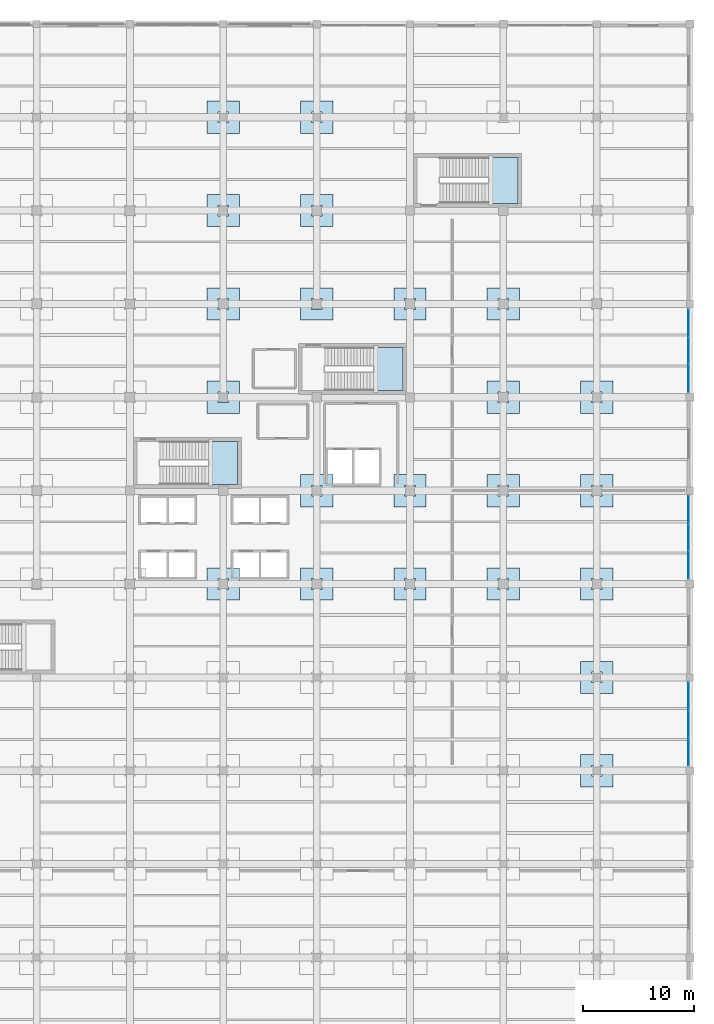
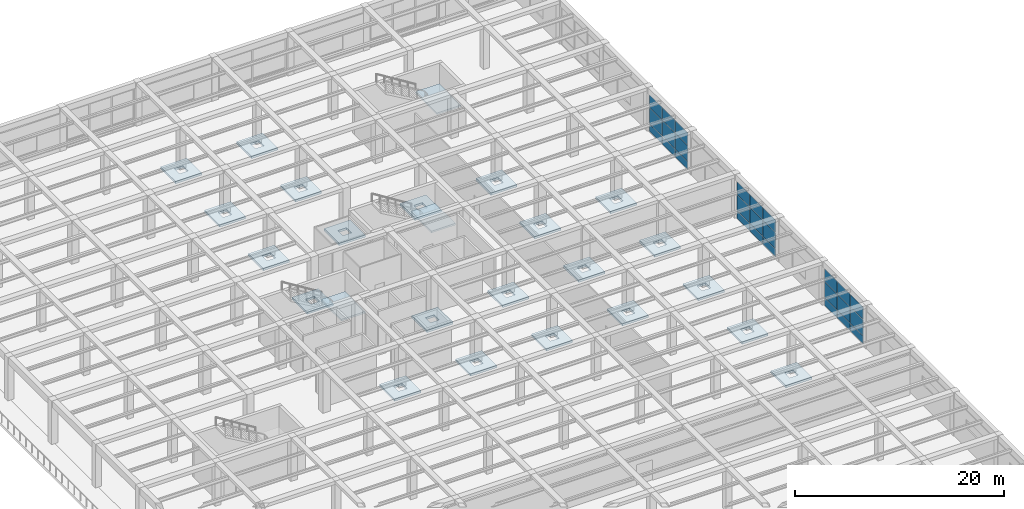
# One storey, part 75 of 96: 27 plates, 25 slabs, 6 elements without a shape of their own.
"""IFC4 building model written with IfcOpenShell, lengths in metres."""

import ifcopenshell
import ifcopenshell.guid

model = None  # the IFC model being written
_history = None  # IfcOwnerHistory: only IFC2X3 demands one
_inside = {}  # id of a spatial element -> (the spatial element, [elements in it])
_under = {}  # id of a project, library or spatial element -> (it, [spatial elements below it])
_declared = {}  # id of a project -> (the project, [libraries it declares])
_typed = {}  # id of a type object -> (the type object, [elements of that type])
_made_of = {}  # id of a material, layer set ... -> (it, [elements and type objects made of it])


def new_model(schema):
    """Start an empty IFC model of exactly this schema.

    Asked for "IFC4X3", IfcOpenShell would pick the latest addendum, in which some entities
    have other attributes; the version numbers below select the first issue.
    IFC2X3 requires an IfcOwnerHistory on every rooted entity: one is made here for all.
    """
    global model, _history
    if schema == "IFC4X3":
        model = ifcopenshell.file(schema_version=(4, 3, 0, 0))
    else:
        model = ifcopenshell.file(schema=schema)
    _inside.clear()
    _under.clear()
    _declared.clear()
    _typed.clear()
    _made_of.clear()
    _history = None
    if model.schema == "IFC2X3":
        org = make("IfcOrganization", Name="unknown")
        user = make(
            "IfcPersonAndOrganization",
            ThePerson=make("IfcPerson", FamilyName="unknown"),
            TheOrganization=org,
        )
        app = make(
            "IfcApplication",
            ApplicationDeveloper=org,
            Version="unknown",
            ApplicationFullName="unknown",
            ApplicationIdentifier="unknown",
        )
        _history = make(
            "IfcOwnerHistory",
            OwningUser=user,
            OwningApplication=app,
            ChangeAction="ADDED",
            CreationDate=0,
        )
    return model


def make(cls, **values):
    """One entity of the class cls with the attributes given. An attribute that is None is left unset."""
    return model.create_entity(
        cls, **{name: value for name, value in values.items() if value is not None}
    )


def rooted(cls, **values):
    """An entity with a GlobalId (a new one), such as an element, a storey or a relation."""
    return make(cls, GlobalId=ifcopenshell.guid.new(), OwnerHistory=_history, **values)


def si_unit(unit_type, name, prefix=None):
    """IfcSIUnit, for example si_unit("LENGTHUNIT", "METRE", prefix="MILLI")."""
    return make("IfcSIUnit", UnitType=unit_type, Prefix=prefix, Name=name)


def assignment(units):
    """IfcUnitAssignment: the units of a project."""
    return None if units is None else make("IfcUnitAssignment", Units=units)


def point(xyz):
    """IfcCartesianPoint."""
    return None if xyz is None else make("IfcCartesianPoint", Coordinates=xyz)


def direction(xyz):
    """IfcDirection."""
    return None if xyz is None else make("IfcDirection", DirectionRatios=xyz)


def frame(location, z_axis=None, x_axis=None):
    """IfcAxis2Placement3D, a coordinate frame: its origin and axes. An axis left out is left unset."""
    return make(
        "IfcAxis2Placement3D",
        Location=point(location),
        Axis=direction(z_axis),
        RefDirection=direction(x_axis),
    )


def frame_2d(location, x_axis=None):
    """IfcAxis2Placement2D, a coordinate frame in the plane: its origin and x axis."""
    return make(
        "IfcAxis2Placement2D", Location=point(location), RefDirection=direction(x_axis)
    )


def origin():
    """The frame at (0, 0, 0) with its axes left unset."""
    return frame((0.0, 0.0, 0.0))


def origin_2d():
    """The frame at (0, 0) in the plane with its x axis left unset."""
    return frame_2d((0.0, 0.0))


def place(relative_to, where):
    """IfcLocalPlacement: puts the frame where relative to a parent placement (None: the world)."""
    return make(
        "IfcLocalPlacement", PlacementRelTo=relative_to, RelativePlacement=where
    )


def context(
    kind, dimensions, precision=None, world=None, true_north=None, identifier=None
):
    """IfcGeometricRepresentationContext, for example the 3D "Model" context."""
    return make(
        "IfcGeometricRepresentationContext",
        ContextIdentifier=identifier,
        ContextType=kind,
        CoordinateSpaceDimension=dimensions,
        Precision=precision,
        WorldCoordinateSystem=world,
        TrueNorth=true_north,
    )


def subcontext(parent, identifier, kind, view, scale=None):
    """IfcGeometricRepresentationSubContext, for example "Body" below "Model"."""
    return make(
        "IfcGeometricRepresentationSubContext",
        ContextIdentifier=identifier,
        ContextType=kind,
        ParentContext=parent,
        TargetScale=scale,
        TargetView=view,
    )


def project(units=None, contexts=None):
    """IfcProject with its units and contexts."""
    return rooted(
        "IfcProject",
        Name="project",
        RepresentationContexts=contexts,
        UnitsInContext=assignment(units),
    )


def spatial(cls, under=None, at=None, **own):
    """A site, building, storey or space (cls), placed at a placement, below another one or the project."""
    s = rooted(cls, ObjectPlacement=at, **own)
    if under is not None:
        _under.setdefault(under.id(), (under, []))[1].append(s)
    return s


def polyline(points):
    """IfcPolyline through the points."""
    return make("IfcPolyline", Points=[point(p) for p in points])


def profile(cls, at=None, kind="AREA", **sizes):
    """A parametric profile (cls). Its sizes go by their IFC names, for example OverallWidth=200.0."""
    return make(cls, ProfileType=kind, Position=at, **sizes)


def rectangle(**sizes):
    """IfcRectangleProfileDef."""
    return profile("IfcRectangleProfileDef", **sizes)


def outline(outer, holes=None, kind="AREA"):
    """IfcArbitraryClosedProfileDef: a profile drawn as a closed curve; with holes, ...WithVoids."""
    if holes is None:
        return make("IfcArbitraryClosedProfileDef", ProfileType=kind, OuterCurve=outer)
    return make(
        "IfcArbitraryProfileDefWithVoids",
        ProfileType=kind,
        OuterCurve=outer,
        InnerCurves=holes,
    )


def extrude(swept, where, along, depth):
    """IfcExtrudedAreaSolid: the profile swept, set in the frame where, extruded along a direction by depth."""
    return make(
        "IfcExtrudedAreaSolid",
        SweptArea=swept,
        Position=where,
        ExtrudedDirection=direction(along),
        Depth=depth,
    )


def shape(context_of_items, identifier, shape_type, items):
    """IfcShapeRepresentation: the items that make up one representation, for example the "Body"."""
    return make(
        "IfcShapeRepresentation",
        ContextOfItems=context_of_items,
        RepresentationIdentifier=identifier,
        RepresentationType=shape_type,
        Items=items,
    )


def material(Name=None, Category=None):
    """IfcMaterial."""
    return make("IfcMaterial", Name=Name, Category=Category)


def layer(
    of_material, thickness, ventilated=None, Name=None, Category=None, Priority=None
):
    """IfcMaterialLayer: one layer of a wall or slab, of a material (None: an air gap)."""
    return make(
        "IfcMaterialLayer",
        Material=of_material,
        LayerThickness=thickness,
        IsVentilated=ventilated,
        Name=Name,
        Category=Category,
        Priority=Priority,
    )


def layer_set(layers, Name=None):
    """IfcMaterialLayerSet."""
    return make("IfcMaterialLayerSet", MaterialLayers=layers, LayerSetName=Name)


def made_of(thing, what):
    """Note that an element or type object is made of a material, layer set ...; save() writes the relation."""
    if what is not None:
        _made_of.setdefault(what.id(), (what, []))[1].append(thing)
    return thing


def type_object(cls, material=None, **own):
    """A type object (cls), such as IfcWallType, which elements share."""
    return made_of(rooted(cls, **own), material)


def element(
    cls,
    number,
    at=None,
    inside=None,
    cuts=None,
    type_object=None,
    material=None,
    context=None,
    identifier="Body",
    shape_type=None,
    held_by="IfcProductDefinitionShape",
    body=None,
    shapes=None,
    **own,
):
    """One element of the class cls, such as IfcWall. Its Tag is "e" and its number.

    at: its placement. inside: the storey or other place that contains it. cuts: it is an
    opening in that element (IfcRelVoidsElement). A single representation is given by context,
    identifier, shape_type and body (its items); several are given by shapes. held_by: the class
    of the entity that holds the representations. save() writes the other relations.
    """
    e = rooted(cls, Tag="e%d" % number, ObjectPlacement=at, **own)
    if body is not None:
        shapes = [shape(context, identifier, shape_type, body)]
    if shapes is not None:
        e.Representation = make(held_by, Representations=shapes)
    if inside is not None:
        _inside.setdefault(inside.id(), (inside, []))[1].append(e)
    if cuts is not None:
        rooted(
            "IfcRelVoidsElement", RelatingBuildingElement=cuts, RelatedOpeningElement=e
        )
    if type_object is not None:
        _typed.setdefault(type_object.id(), (type_object, []))[1].append(e)
    return made_of(e, material)


def aggregate(whole, parts):
    """IfcRelAggregates: a whole, such as a stair, and the parts it consists of."""
    return rooted("IfcRelAggregates", RelatingObject=whole, RelatedObjects=parts)


def save(model, path):
    """Write the relations noted so far, then the file.

    IfcRelAggregates (storeys below a building ...), IfcRelContainedInSpatialStructure (elements
    in a storey), IfcRelDefinesByType, IfcRelAssociatesMaterial and IfcRelDeclares: one each for
    every whole, place, type object, material and project.
    """
    for whole, parts in _under.values():
        aggregate(whole, parts)
    for where, things in _inside.values():
        rooted(
            "IfcRelContainedInSpatialStructure",
            RelatedElements=things,
            RelatingStructure=where,
        )
    for kind, things in _typed.values():
        rooted("IfcRelDefinesByType", RelatedObjects=things, RelatingType=kind)
    for what, things in _made_of.values():
        rooted("IfcRelAssociatesMaterial", RelatedObjects=things, RelatingMaterial=what)
    for by, libraries in _declared.values():
        rooted("IfcRelDeclares", RelatingContext=by, RelatedDefinitions=libraries)
    model.write(path)


model = new_model("IFC4")

# Units and contexts
model_context = context("Model", 3, precision=1e-05, world=origin(), true_north=direction((0.0, 1.0)))
body_context = subcontext(model_context, "Body", "Model", "MODEL_VIEW")
ifc_project = project(units=[si_unit("LENGTHUNIT", "METRE"), si_unit("AREAUNIT", "SQUARE_METRE"), si_unit("VOLUMEUNIT", "CUBIC_METRE"), si_unit("PLANEANGLEUNIT", "RADIAN"), si_unit("MASSUNIT", "GRAM", prefix="KILO")], contexts=[model_context])

# Site, building, storey
site_placement = place(None, origin())
site = spatial("IfcSite", under=ifc_project, at=site_placement, CompositionType="ELEMENT")
building_placement = place(site_placement, origin())
building = spatial("IfcBuilding", under=site, at=building_placement, Name="Almacenes y Pasaje Nevantli", CompositionType="ELEMENT")
storey_placement = place(building_placement, frame((0.0, 0.0, 6.0)))
storey = spatial("IfcBuildingStorey", under=building, at=storey_placement, Name="L02", CompositionType="ELEMENT", Elevation=6.0)

# Curtain wall, plates
ifc_material_1 = material(Name="Thermally Broken Aluminium and Low-E Glass", Category="aluminium")
curtain_wall_type = type_object("IfcCurtainWallType", Name="CW-UNIT-PODIUM", PredefinedType="USERDEFINED", material=ifc_material_1)
curtain_wall_1_placement = place(storey_placement, origin())
curtain_wall_1 = element("IfcCurtainWall", 1, at=curtain_wall_1_placement, inside=storey, type_object=curtain_wall_type, Name="L02 East Office Wing Curtain Wall Bay 7", ObjectType="UNITIZED CURTAIN WALL", PredefinedType="USERDEFINED")
ifc_material_2 = material(Name="Low-E Double Glazed Insulated Unit", Category="glass")
ifc_layer_1 = layer(ifc_material_2, 0.031982421875)
ifc_layer_set_1 = layer_set([ifc_layer_1], Name="Low-E Double Glazed Insulated Unit")
plate_type = type_object("IfcPlateType", Name="PL-IGU-32", PredefinedType="CURTAIN_PANEL", material=ifc_layer_set_1)
plate_1_placement = place(storey_placement, frame((167.85009765625, 52.11376953125, 0.05517578125), z_axis=(0.0, 0.0, 1.0), x_axis=(0.0, 1.0, 0.0)))
plate_1 = element("IfcPlate", 2, at=plate_1_placement, type_object=plate_type, Name="CW-L02-021 panel 1.1", PredefinedType="CURTAIN_PANEL", context=body_context, shape_type="SweptSolid", body=[
    extrude(rectangle(XDim=2.41748046875, YDim=0.031982421875, at=origin_2d()), origin(), (0.0, 0.0, 1.0), 0.867431640625),
])
plate_2_placement = place(storey_placement, frame((167.85009765625, 52.11376953125, 0.9775390625), z_axis=(0.0, 0.0, 1.0), x_axis=(0.0, 1.0, 0.0)))
plate_2 = element("IfcPlate", 3, at=plate_2_placement, type_object=plate_type, Name="CW-L02-021 panel 1.2", PredefinedType="CURTAIN_PANEL", context=body_context, shape_type="SweptSolid", body=[
    extrude(rectangle(XDim=2.41748046875, YDim=0.031982421875, at=origin_2d()), origin(), (0.0, 0.0, 1.0), 1.844970703125),
])
plate_3_placement = place(storey_placement, frame((167.85009765625, 52.11376953125, 2.87744140625), z_axis=(0.0, 0.0, 1.0), x_axis=(0.0, 1.0, 0.0)))
plate_3 = element("IfcPlate", 4, at=plate_3_placement, type_object=plate_type, Name="CW-L02-021 panel 1.3", PredefinedType="CURTAIN_PANEL", context=body_context, shape_type="SweptSolid", body=[
    extrude(rectangle(XDim=2.41748046875, YDim=0.031982421875, at=origin_2d()), origin(), (0.0, 0.0, 1.0), 1.447509765625),
])
plate_4_placement = place(storey_placement, frame((167.85009765625, 54.60009765625, 0.05517578125), z_axis=(0.0, 0.0, 1.0), x_axis=(0.0, 1.0, 0.0)))
plate_4 = element("IfcPlate", 5, at=plate_4_placement, type_object=plate_type, Name="CW-L02-021 panel 2.1", PredefinedType="CURTAIN_PANEL", context=body_context, shape_type="SweptSolid", body=[
    extrude(rectangle(XDim=2.445068359375, YDim=0.031982421875, at=origin_2d()), origin(), (0.0, 0.0, 1.0), 0.867431640625),
])
plate_5_placement = place(storey_placement, frame((167.85009765625, 54.60009765625, 0.9775390625), z_axis=(0.0, 0.0, 1.0), x_axis=(0.0, 1.0, 0.0)))
plate_5 = element("IfcPlate", 6, at=plate_5_placement, type_object=plate_type, Name="CW-L02-021 panel 2.2", PredefinedType="CURTAIN_PANEL", context=body_context, shape_type="SweptSolid", body=[
    extrude(rectangle(XDim=2.445068359375, YDim=0.031982421875, at=origin_2d()), origin(), (0.0, 0.0, 1.0), 1.844970703125),
])
plate_6_placement = place(storey_placement, frame((167.85009765625, 54.60009765625, 2.87744140625), z_axis=(0.0, 0.0, 1.0), x_axis=(0.0, 1.0, 0.0)))
plate_6 = element("IfcPlate", 7, at=plate_6_placement, type_object=plate_type, Name="CW-L02-021 panel 2.3", PredefinedType="CURTAIN_PANEL", context=body_context, shape_type="SweptSolid", body=[
    extrude(rectangle(XDim=2.445068359375, YDim=0.031982421875, at=origin_2d()), origin(), (0.0, 0.0, 1.0), 1.447509765625),
])
plate_7_placement = place(storey_placement, frame((167.85009765625, 57.086181640625, 0.05517578125), z_axis=(0.0, 0.0, 1.0), x_axis=(0.0, 1.0, 0.0)))
plate_7 = element("IfcPlate", 8, at=plate_7_placement, type_object=plate_type, Name="CW-L02-021 panel 3.1", PredefinedType="CURTAIN_PANEL", context=body_context, shape_type="SweptSolid", body=[
    extrude(rectangle(XDim=2.41748046875, YDim=0.031982421875, at=origin_2d()), origin(), (0.0, 0.0, 1.0), 0.867431640625),
])
plate_8_placement = place(storey_placement, frame((167.85009765625, 57.086181640625, 0.9775390625), z_axis=(0.0, 0.0, 1.0), x_axis=(0.0, 1.0, 0.0)))
plate_8 = element("IfcPlate", 9, at=plate_8_placement, type_object=plate_type, Name="CW-L02-021 panel 3.2", PredefinedType="CURTAIN_PANEL", context=body_context, shape_type="SweptSolid", body=[
    extrude(rectangle(XDim=2.41748046875, YDim=0.031982421875, at=origin_2d()), origin(), (0.0, 0.0, 1.0), 1.844970703125),
])
plate_9_placement = place(storey_placement, frame((167.85009765625, 57.086181640625, 2.87744140625), z_axis=(0.0, 0.0, 1.0), x_axis=(0.0, 1.0, 0.0)))
plate_9 = element("IfcPlate", 10, at=plate_9_placement, type_object=plate_type, Name="CW-L02-021 panel 3.3", PredefinedType="CURTAIN_PANEL", context=body_context, shape_type="SweptSolid", body=[
    extrude(rectangle(XDim=2.41748046875, YDim=0.031982421875, at=origin_2d()), origin(), (0.0, 0.0, 1.0), 1.447509765625),
])
aggregate(curtain_wall_1, [plate_1, plate_2, plate_3, plate_4, plate_5, plate_6, plate_7, plate_8, plate_9])

curtain_wall_2_placement = place(storey_placement, origin())
curtain_wall_2 = element("IfcCurtainWall", 11, at=curtain_wall_2_placement, inside=storey, type_object=curtain_wall_type, Name="L02 East Office Wing Curtain Wall Bay 9", ObjectType="UNITIZED CURTAIN WALL", PredefinedType="USERDEFINED")
plate_10_placement = place(storey_placement, frame((167.85009765625, 68.913818359375, 0.05517578125), z_axis=(0.0, 0.0, 1.0), x_axis=(0.0, 1.0, 0.0)))
plate_10 = element("IfcPlate", 12, at=plate_10_placement, type_object=plate_type, Name="CW-L02-022 panel 1.1", PredefinedType="CURTAIN_PANEL", context=body_context, shape_type="SweptSolid", body=[
    extrude(rectangle(XDim=2.41748046875, YDim=0.031982421875, at=origin_2d()), origin(), (0.0, 0.0, 1.0), 0.867431640625),
])
plate_11_placement = place(storey_placement, frame((167.85009765625, 68.913818359375, 0.9775390625), z_axis=(0.0, 0.0, 1.0), x_axis=(0.0, 1.0, 0.0)))
plate_11 = element("IfcPlate", 13, at=plate_11_placement, type_object=plate_type, Name="CW-L02-022 panel 1.2", PredefinedType="CURTAIN_PANEL", context=body_context, shape_type="SweptSolid", body=[
    extrude(rectangle(XDim=2.41748046875, YDim=0.031982421875, at=origin_2d()), origin(), (0.0, 0.0, 1.0), 1.844970703125),
])
plate_12_placement = place(storey_placement, frame((167.85009765625, 68.913818359375, 2.87744140625), z_axis=(0.0, 0.0, 1.0), x_axis=(0.0, 1.0, 0.0)))
plate_12 = element("IfcPlate", 14, at=plate_12_placement, type_object=plate_type, Name="CW-L02-022 panel 1.3", PredefinedType="CURTAIN_PANEL", context=body_context, shape_type="SweptSolid", body=[
    extrude(rectangle(XDim=2.41748046875, YDim=0.031982421875, at=origin_2d()), origin(), (0.0, 0.0, 1.0), 1.447509765625),
])
plate_13_placement = place(storey_placement, frame((167.85009765625, 71.39990234375, 0.05517578125), z_axis=(0.0, 0.0, 1.0), x_axis=(0.0, 1.0, 0.0)))
plate_13 = element("IfcPlate", 15, at=plate_13_placement, type_object=plate_type, Name="CW-L02-022 panel 2.1", PredefinedType="CURTAIN_PANEL", context=body_context, shape_type="SweptSolid", body=[
    extrude(rectangle(XDim=2.445068359375, YDim=0.031982421875, at=origin_2d()), origin(), (0.0, 0.0, 1.0), 0.867431640625),
])
plate_14_placement = place(storey_placement, frame((167.85009765625, 71.39990234375, 0.9775390625), z_axis=(0.0, 0.0, 1.0), x_axis=(0.0, 1.0, 0.0)))
plate_14 = element("IfcPlate", 16, at=plate_14_placement, type_object=plate_type, Name="CW-L02-022 panel 2.2", PredefinedType="CURTAIN_PANEL", context=body_context, shape_type="SweptSolid", body=[
    extrude(rectangle(XDim=2.445068359375, YDim=0.031982421875, at=origin_2d()), origin(), (0.0, 0.0, 1.0), 1.844970703125),
])
plate_15_placement = place(storey_placement, frame((167.85009765625, 71.39990234375, 2.87744140625), z_axis=(0.0, 0.0, 1.0), x_axis=(0.0, 1.0, 0.0)))
plate_15 = element("IfcPlate", 17, at=plate_15_placement, type_object=plate_type, Name="CW-L02-022 panel 2.3", PredefinedType="CURTAIN_PANEL", context=body_context, shape_type="SweptSolid", body=[
    extrude(rectangle(XDim=2.445068359375, YDim=0.031982421875, at=origin_2d()), origin(), (0.0, 0.0, 1.0), 1.447509765625),
])
plate_16_placement = place(storey_placement, frame((167.85009765625, 73.88623046875, 0.05517578125), z_axis=(0.0, 0.0, 1.0), x_axis=(0.0, 1.0, 0.0)))
plate_16 = element("IfcPlate", 18, at=plate_16_placement, type_object=plate_type, Name="CW-L02-022 panel 3.1", PredefinedType="CURTAIN_PANEL", context=body_context, shape_type="SweptSolid", body=[
    extrude(rectangle(XDim=2.41748046875, YDim=0.031982421875, at=origin_2d()), origin(), (0.0, 0.0, 1.0), 0.867431640625),
])
plate_17_placement = place(storey_placement, frame((167.85009765625, 73.88623046875, 0.9775390625), z_axis=(0.0, 0.0, 1.0), x_axis=(0.0, 1.0, 0.0)))
plate_17 = element("IfcPlate", 19, at=plate_17_placement, type_object=plate_type, Name="CW-L02-022 panel 3.2", PredefinedType="CURTAIN_PANEL", context=body_context, shape_type="SweptSolid", body=[
    extrude(rectangle(XDim=2.41748046875, YDim=0.031982421875, at=origin_2d()), origin(), (0.0, 0.0, 1.0), 1.844970703125),
])
plate_18_placement = place(storey_placement, frame((167.85009765625, 73.88623046875, 2.87744140625), z_axis=(0.0, 0.0, 1.0), x_axis=(0.0, 1.0, 0.0)))
plate_18 = element("IfcPlate", 20, at=plate_18_placement, type_object=plate_type, Name="CW-L02-022 panel 3.3", PredefinedType="CURTAIN_PANEL", context=body_context, shape_type="SweptSolid", body=[
    extrude(rectangle(XDim=2.41748046875, YDim=0.031982421875, at=origin_2d()), origin(), (0.0, 0.0, 1.0), 1.447509765625),
])
aggregate(curtain_wall_2, [plate_10, plate_11, plate_12, plate_13, plate_14, plate_15, plate_16, plate_17, plate_18])

curtain_wall_3_placement = place(storey_placement, origin())
curtain_wall_3 = element("IfcCurtainWall", 21, at=curtain_wall_3_placement, inside=storey, type_object=curtain_wall_type, Name="L02 East Office Wing Curtain Wall Bay 11", ObjectType="UNITIZED CURTAIN WALL", PredefinedType="USERDEFINED")
plate_19_placement = place(storey_placement, frame((167.85009765625, 85.7138671875, 0.05517578125), z_axis=(0.0, 0.0, 1.0), x_axis=(0.0, 1.0, 0.0)))
plate_19 = element("IfcPlate", 22, at=plate_19_placement, type_object=plate_type, Name="CW-L02-023 panel 1.1", PredefinedType="CURTAIN_PANEL", context=body_context, shape_type="SweptSolid", body=[
    extrude(rectangle(XDim=2.41748046875, YDim=0.031982421875, at=origin_2d()), origin(), (0.0, 0.0, 1.0), 0.867431640625),
])
plate_20_placement = place(storey_placement, frame((167.85009765625, 85.7138671875, 0.9775390625), z_axis=(0.0, 0.0, 1.0), x_axis=(0.0, 1.0, 0.0)))
plate_20 = element("IfcPlate", 23, at=plate_20_placement, type_object=plate_type, Name="CW-L02-023 panel 1.2", PredefinedType="CURTAIN_PANEL", context=body_context, shape_type="SweptSolid", body=[
    extrude(rectangle(XDim=2.41748046875, YDim=0.031982421875, at=origin_2d()), origin(), (0.0, 0.0, 1.0), 1.844970703125),
])
plate_21_placement = place(storey_placement, frame((167.85009765625, 85.7138671875, 2.87744140625), z_axis=(0.0, 0.0, 1.0), x_axis=(0.0, 1.0, 0.0)))
plate_21 = element("IfcPlate", 24, at=plate_21_placement, type_object=plate_type, Name="CW-L02-023 panel 1.3", PredefinedType="CURTAIN_PANEL", context=body_context, shape_type="SweptSolid", body=[
    extrude(rectangle(XDim=2.41748046875, YDim=0.031982421875, at=origin_2d()), origin(), (0.0, 0.0, 1.0), 1.447509765625),
])
plate_22_placement = place(storey_placement, frame((167.85009765625, 88.199951171875, 0.05517578125), z_axis=(0.0, 0.0, 1.0), x_axis=(0.0, 1.0, 0.0)))
plate_22 = element("IfcPlate", 25, at=plate_22_placement, type_object=plate_type, Name="CW-L02-023 panel 2.1", PredefinedType="CURTAIN_PANEL", context=body_context, shape_type="SweptSolid", body=[
    extrude(rectangle(XDim=2.445068359375, YDim=0.031982421875, at=origin_2d()), origin(), (0.0, 0.0, 1.0), 0.867431640625),
])
plate_23_placement = place(storey_placement, frame((167.85009765625, 88.199951171875, 0.9775390625), z_axis=(0.0, 0.0, 1.0), x_axis=(0.0, 1.0, 0.0)))
plate_23 = element("IfcPlate", 26, at=plate_23_placement, type_object=plate_type, Name="CW-L02-023 panel 2.2", PredefinedType="CURTAIN_PANEL", context=body_context, shape_type="SweptSolid", body=[
    extrude(rectangle(XDim=2.445068359375, YDim=0.031982421875, at=origin_2d()), origin(), (0.0, 0.0, 1.0), 1.844970703125),
])
plate_24_placement = place(storey_placement, frame((167.85009765625, 88.199951171875, 2.87744140625), z_axis=(0.0, 0.0, 1.0), x_axis=(0.0, 1.0, 0.0)))
plate_24 = element("IfcPlate", 27, at=plate_24_placement, type_object=plate_type, Name="CW-L02-023 panel 2.3", PredefinedType="CURTAIN_PANEL", context=body_context, shape_type="SweptSolid", body=[
    extrude(rectangle(XDim=2.445068359375, YDim=0.031982421875, at=origin_2d()), origin(), (0.0, 0.0, 1.0), 1.447509765625),
])
plate_25_placement = place(storey_placement, frame((167.85009765625, 90.686279296875, 0.05517578125), z_axis=(0.0, 0.0, 1.0), x_axis=(0.0, 1.0, 0.0)))
plate_25 = element("IfcPlate", 28, at=plate_25_placement, type_object=plate_type, Name="CW-L02-023 panel 3.1", PredefinedType="CURTAIN_PANEL", context=body_context, shape_type="SweptSolid", body=[
    extrude(rectangle(XDim=2.41748046875, YDim=0.031982421875, at=origin_2d()), origin(), (0.0, 0.0, 1.0), 0.867431640625),
])
plate_26_placement = place(storey_placement, frame((167.85009765625, 90.686279296875, 0.9775390625), z_axis=(0.0, 0.0, 1.0), x_axis=(0.0, 1.0, 0.0)))
plate_26 = element("IfcPlate", 29, at=plate_26_placement, type_object=plate_type, Name="CW-L02-023 panel 3.2", PredefinedType="CURTAIN_PANEL", context=body_context, shape_type="SweptSolid", body=[
    extrude(rectangle(XDim=2.41748046875, YDim=0.031982421875, at=origin_2d()), origin(), (0.0, 0.0, 1.0), 1.844970703125),
])
plate_27_placement = place(storey_placement, frame((167.85009765625, 90.686279296875, 2.87744140625), z_axis=(0.0, 0.0, 1.0), x_axis=(0.0, 1.0, 0.0)))
plate_27 = element("IfcPlate", 30, at=plate_27_placement, type_object=plate_type, Name="CW-L02-023 panel 3.3", PredefinedType="CURTAIN_PANEL", context=body_context, shape_type="SweptSolid", body=[
    extrude(rectangle(XDim=2.41748046875, YDim=0.031982421875, at=origin_2d()), origin(), (0.0, 0.0, 1.0), 1.447509765625),
])
aggregate(curtain_wall_3, [plate_19, plate_20, plate_21, plate_22, plate_23, plate_24, plate_25, plate_26, plate_27])

# Slabs
ifc_material_3 = material(Name="Concrete C35/45", Category="concrete")
ifc_layer_2 = layer(ifc_material_3, 0.25)
ifc_layer_set_2 = layer_set([ifc_layer_2], Name="Concrete C35/45")
slab_type_1 = type_object("IfcSlabType", Name="SLB-DP-250", PredefinedType="USERDEFINED", material=ifc_layer_set_2)
slab_1_placement = place(storey_placement, frame((0.0, 0.0, -0.550048828125)))
element("IfcSlab", 31, at=slab_1_placement, inside=storey, type_object=slab_type_1, Name="L02 Punching-Shear Drop Panel DP-02 #533", ObjectType="DROP PANEL", PredefinedType="USERDEFINED", context=body_context, shape_type="SweptSolid", body=[
    extrude(outline(polyline([(124.550048828125, 65.75), (127.449951171875, 65.75), (127.449951171875, 68.64990234375), (124.550048828125, 68.64990234375), (124.550048828125, 65.75)]), holes=[polyline([(125.52001953125, 66.719970703125), (126.47998046875, 66.719970703125), (126.47998046875, 67.679931640625), (125.52001953125, 67.679931640625), (125.52001953125, 66.719970703125)])]), origin(), (0.0, 0.0, 1.0), 0.25),
])
slab_2_placement = place(storey_placement, frame((0.0, 0.0, -0.550048828125)))
element("IfcSlab", 32, at=slab_2_placement, inside=storey, type_object=slab_type_1, Name="L02 Punching-Shear Drop Panel DP-02 #534", ObjectType="DROP PANEL", PredefinedType="USERDEFINED", context=body_context, shape_type="SweptSolid", body=[
    extrude(outline(polyline([(124.550048828125, 82.550048828125), (127.449951171875, 82.550048828125), (127.449951171875, 85.449951171875), (124.550048828125, 85.449951171875), (124.550048828125, 82.550048828125)]), holes=[polyline([(125.52001953125, 83.52001953125), (126.47998046875, 83.52001953125), (126.47998046875, 84.47998046875), (125.52001953125, 84.47998046875), (125.52001953125, 83.52001953125)])]), origin(), (0.0, 0.0, 1.0), 0.25),
])
slab_3_placement = place(storey_placement, frame((0.0, 0.0, -0.550048828125)))
element("IfcSlab", 33, at=slab_3_placement, inside=storey, type_object=slab_type_1, Name="L02 Punching-Shear Drop Panel DP-02 #535", ObjectType="DROP PANEL", PredefinedType="USERDEFINED", context=body_context, shape_type="SweptSolid", body=[
    extrude(outline(polyline([(124.550048828125, 90.949951171875), (127.449951171875, 90.949951171875), (127.449951171875, 93.85009765625), (124.550048828125, 93.85009765625), (124.550048828125, 90.949951171875)]), holes=[polyline([(125.52001953125, 91.919921875), (126.47998046875, 91.919921875), (126.47998046875, 92.8798828125), (125.52001953125, 92.8798828125), (125.52001953125, 91.919921875)])]), origin(), (0.0, 0.0, 1.0), 0.25),
])
slab_4_placement = place(storey_placement, frame((0.0, 0.0, -0.550048828125)))
element("IfcSlab", 34, at=slab_4_placement, inside=storey, type_object=slab_type_1, Name="L02 Punching-Shear Drop Panel DP-02 #536", ObjectType="DROP PANEL", PredefinedType="USERDEFINED", context=body_context, shape_type="SweptSolid", body=[
    extrude(outline(polyline([(124.550048828125, 99.35009765625), (127.449951171875, 99.35009765625), (127.449951171875, 102.25), (124.550048828125, 102.25), (124.550048828125, 99.35009765625)]), holes=[polyline([(125.52001953125, 100.320068359375), (126.47998046875, 100.320068359375), (126.47998046875, 101.280029296875), (125.52001953125, 101.280029296875), (125.52001953125, 100.320068359375)])]), origin(), (0.0, 0.0, 1.0), 0.25),
])
slab_5_placement = place(storey_placement, frame((0.0, 0.0, -0.550048828125)))
element("IfcSlab", 35, at=slab_5_placement, inside=storey, type_object=slab_type_1, Name="L02 Punching-Shear Drop Panel DP-02 #537", ObjectType="DROP PANEL", PredefinedType="USERDEFINED", context=body_context, shape_type="SweptSolid", body=[
    extrude(outline(polyline([(124.550048828125, 107.75), (127.449951171875, 107.75), (127.449951171875, 110.64990234375), (124.550048828125, 110.64990234375), (124.550048828125, 107.75)]), holes=[polyline([(125.52001953125, 108.719970703125), (126.47998046875, 108.719970703125), (126.47998046875, 109.679931640625), (125.52001953125, 109.679931640625), (125.52001953125, 108.719970703125)])]), origin(), (0.0, 0.0, 1.0), 0.25),
])
slab_6_placement = place(storey_placement, frame((0.0, 0.0, -0.550048828125)))
element("IfcSlab", 36, at=slab_6_placement, inside=storey, type_object=slab_type_1, Name="L02 Punching-Shear Drop Panel DP-02 #542", ObjectType="DROP PANEL", PredefinedType="USERDEFINED", context=body_context, shape_type="SweptSolid", body=[
    extrude(outline(polyline([(132.949951171875, 65.75), (135.85009765625, 65.75), (135.85009765625, 68.64990234375), (132.949951171875, 68.64990234375), (132.949951171875, 65.75)]), holes=[polyline([(133.919921875, 66.719970703125), (134.8798828125, 66.719970703125), (134.8798828125, 67.679931640625), (133.919921875, 67.679931640625), (133.919921875, 66.719970703125)])]), origin(), (0.0, 0.0, 1.0), 0.25),
])
slab_7_placement = place(storey_placement, frame((0.0, 0.0, -0.550048828125)))
element("IfcSlab", 37, at=slab_7_placement, inside=storey, type_object=slab_type_1, Name="L02 Punching-Shear Drop Panel DP-02 #543", ObjectType="DROP PANEL", PredefinedType="USERDEFINED", context=body_context, shape_type="SweptSolid", body=[
    extrude(outline(polyline([(132.949951171875, 74.14990234375), (135.85009765625, 74.14990234375), (135.85009765625, 77.050048828125), (132.949951171875, 77.050048828125), (132.949951171875, 74.14990234375)]), holes=[polyline([(133.919921875, 75.1201171875), (134.8798828125, 75.1201171875), (134.8798828125, 76.080078125), (133.919921875, 76.080078125), (133.919921875, 75.1201171875)])]), origin(), (0.0, 0.0, 1.0), 0.25),
])
slab_8_placement = place(storey_placement, frame((0.0, 0.0, -0.550048828125)))
element("IfcSlab", 38, at=slab_8_placement, inside=storey, type_object=slab_type_1, Name="L02 Punching-Shear Drop Panel DP-02 #544", ObjectType="DROP PANEL", PredefinedType="USERDEFINED", context=body_context, shape_type="SweptSolid", body=[
    extrude(outline(polyline([(132.949951171875, 90.949951171875), (135.85009765625, 90.949951171875), (135.85009765625, 93.85009765625), (132.949951171875, 93.85009765625), (132.949951171875, 90.949951171875)]), holes=[polyline([(133.919921875, 91.919921875), (134.8798828125, 91.919921875), (134.8798828125, 92.8798828125), (133.919921875, 92.8798828125), (133.919921875, 91.919921875)])]), origin(), (0.0, 0.0, 1.0), 0.25),
])
slab_9_placement = place(storey_placement, frame((0.0, 0.0, -0.550048828125)))
element("IfcSlab", 39, at=slab_9_placement, inside=storey, type_object=slab_type_1, Name="L02 Punching-Shear Drop Panel DP-02 #545", ObjectType="DROP PANEL", PredefinedType="USERDEFINED", context=body_context, shape_type="SweptSolid", body=[
    extrude(outline(polyline([(132.949951171875, 99.35009765625), (135.85009765625, 99.35009765625), (135.85009765625, 102.25), (132.949951171875, 102.25), (132.949951171875, 99.35009765625)]), holes=[polyline([(133.919921875, 100.320068359375), (134.8798828125, 100.320068359375), (134.8798828125, 101.280029296875), (133.919921875, 101.280029296875), (133.919921875, 100.320068359375)])]), origin(), (0.0, 0.0, 1.0), 0.25),
])
slab_10_placement = place(storey_placement, frame((0.0, 0.0, -0.550048828125)))
element("IfcSlab", 40, at=slab_10_placement, inside=storey, type_object=slab_type_1, Name="L02 Punching-Shear Drop Panel DP-02 #546", ObjectType="DROP PANEL", PredefinedType="USERDEFINED", context=body_context, shape_type="SweptSolid", body=[
    extrude(outline(polyline([(132.949951171875, 107.75), (135.85009765625, 107.75), (135.85009765625, 110.64990234375), (132.949951171875, 110.64990234375), (132.949951171875, 107.75)]), holes=[polyline([(133.919921875, 108.719970703125), (134.8798828125, 108.719970703125), (134.8798828125, 109.679931640625), (133.919921875, 109.679931640625), (133.919921875, 108.719970703125)])]), origin(), (0.0, 0.0, 1.0), 0.25),
])
slab_11_placement = place(storey_placement, frame((0.0, 0.0, -0.550048828125)))
element("IfcSlab", 41, at=slab_11_placement, inside=storey, type_object=slab_type_1, Name="L02 Punching-Shear Drop Panel DP-02 #551", ObjectType="DROP PANEL", PredefinedType="USERDEFINED", context=body_context, shape_type="SweptSolid", body=[
    extrude(outline(polyline([(141.35009765625, 65.75), (144.25, 65.75), (144.25, 68.64990234375), (141.35009765625, 68.64990234375), (141.35009765625, 65.75)]), holes=[polyline([(142.320068359375, 66.719970703125), (143.280029296875, 66.719970703125), (143.280029296875, 67.679931640625), (142.320068359375, 67.679931640625), (142.320068359375, 66.719970703125)])]), origin(), (0.0, 0.0, 1.0), 0.25),
])
slab_12_placement = place(storey_placement, frame((0.0, 0.0, -0.550048828125)))
element("IfcSlab", 42, at=slab_12_placement, inside=storey, type_object=slab_type_1, Name="L02 Punching-Shear Drop Panel DP-02 #552", ObjectType="DROP PANEL", PredefinedType="USERDEFINED", context=body_context, shape_type="SweptSolid", body=[
    extrude(outline(polyline([(141.35009765625, 74.14990234375), (144.25, 74.14990234375), (144.25, 77.050048828125), (141.35009765625, 77.050048828125), (141.35009765625, 74.14990234375)]), holes=[polyline([(142.320068359375, 75.1201171875), (143.280029296875, 75.1201171875), (143.280029296875, 76.080078125), (142.320068359375, 76.080078125), (142.320068359375, 75.1201171875)])]), origin(), (0.0, 0.0, 1.0), 0.25),
])
slab_13_placement = place(storey_placement, frame((0.0, 0.0, -0.550048828125)))
element("IfcSlab", 43, at=slab_13_placement, inside=storey, type_object=slab_type_1, Name="L02 Punching-Shear Drop Panel DP-02 #553", ObjectType="DROP PANEL", PredefinedType="USERDEFINED", context=body_context, shape_type="SweptSolid", body=[
    extrude(outline(polyline([(141.35009765625, 90.949951171875), (144.25, 90.949951171875), (144.25, 93.85009765625), (141.35009765625, 93.85009765625), (141.35009765625, 90.949951171875)]), holes=[polyline([(142.320068359375, 91.919921875), (143.280029296875, 91.919921875), (143.280029296875, 92.8798828125), (142.320068359375, 92.8798828125), (142.320068359375, 91.919921875)])]), origin(), (0.0, 0.0, 1.0), 0.25),
])
slab_14_placement = place(storey_placement, frame((0.0, 0.0, -0.550048828125)))
element("IfcSlab", 44, at=slab_14_placement, inside=storey, type_object=slab_type_1, Name="L02 Punching-Shear Drop Panel DP-02 #559", ObjectType="DROP PANEL", PredefinedType="USERDEFINED", context=body_context, shape_type="SweptSolid", body=[
    extrude(outline(polyline([(149.75, 65.75), (152.64990234375, 65.75), (152.64990234375, 68.64990234375), (149.75, 68.64990234375), (149.75, 65.75)]), holes=[polyline([(150.719970703125, 66.719970703125), (151.679931640625, 66.719970703125), (151.679931640625, 67.679931640625), (150.719970703125, 67.679931640625), (150.719970703125, 66.719970703125)])]), origin(), (0.0, 0.0, 1.0), 0.25),
])
slab_15_placement = place(storey_placement, frame((0.0, 0.0, -0.550048828125)))
element("IfcSlab", 45, at=slab_15_placement, inside=storey, type_object=slab_type_1, Name="L02 Punching-Shear Drop Panel DP-02 #560", ObjectType="DROP PANEL", PredefinedType="USERDEFINED", context=body_context, shape_type="SweptSolid", body=[
    extrude(outline(polyline([(149.75, 74.14990234375), (152.64990234375, 74.14990234375), (152.64990234375, 77.050048828125), (149.75, 77.050048828125), (149.75, 74.14990234375)]), holes=[polyline([(150.719970703125, 75.1201171875), (151.679931640625, 75.1201171875), (151.679931640625, 76.080078125), (150.719970703125, 76.080078125), (150.719970703125, 75.1201171875)])]), origin(), (0.0, 0.0, 1.0), 0.25),
])
slab_16_placement = place(storey_placement, frame((0.0, 0.0, -0.550048828125)))
element("IfcSlab", 46, at=slab_16_placement, inside=storey, type_object=slab_type_1, Name="L02 Punching-Shear Drop Panel DP-02 #561", ObjectType="DROP PANEL", PredefinedType="USERDEFINED", context=body_context, shape_type="SweptSolid", body=[
    extrude(outline(polyline([(149.75, 82.550048828125), (152.64990234375, 82.550048828125), (152.64990234375, 85.449951171875), (149.75, 85.449951171875), (149.75, 82.550048828125)]), holes=[polyline([(150.719970703125, 83.52001953125), (151.679931640625, 83.52001953125), (151.679931640625, 84.47998046875), (150.719970703125, 84.47998046875), (150.719970703125, 83.52001953125)])]), origin(), (0.0, 0.0, 1.0), 0.25),
])
slab_17_placement = place(storey_placement, frame((0.0, 0.0, -0.550048828125)))
element("IfcSlab", 47, at=slab_17_placement, inside=storey, type_object=slab_type_1, Name="L02 Punching-Shear Drop Panel DP-02 #562", ObjectType="DROP PANEL", PredefinedType="USERDEFINED", context=body_context, shape_type="SweptSolid", body=[
    extrude(outline(polyline([(149.75, 90.949951171875), (152.64990234375, 90.949951171875), (152.64990234375, 93.85009765625), (149.75, 93.85009765625), (149.75, 90.949951171875)]), holes=[polyline([(150.719970703125, 91.919921875), (151.679931640625, 91.919921875), (151.679931640625, 92.8798828125), (150.719970703125, 92.8798828125), (150.719970703125, 91.919921875)])]), origin(), (0.0, 0.0, 1.0), 0.25),
])
slab_18_placement = place(storey_placement, frame((0.0, 0.0, -0.550048828125)))
element("IfcSlab", 48, at=slab_18_placement, inside=storey, type_object=slab_type_1, Name="L02 Punching-Shear Drop Panel DP-02 #566", ObjectType="DROP PANEL", PredefinedType="USERDEFINED", context=body_context, shape_type="SweptSolid", body=[
    extrude(outline(polyline([(158.14990234375, 48.949951171875), (161.050048828125, 48.949951171875), (161.050048828125, 51.85009765625), (158.14990234375, 51.85009765625), (158.14990234375, 48.949951171875)]), holes=[polyline([(159.1201171875, 49.919921875), (160.080078125, 49.919921875), (160.080078125, 50.8798828125), (159.1201171875, 50.8798828125), (159.1201171875, 49.919921875)])]), origin(), (0.0, 0.0, 1.0), 0.25),
])
slab_19_placement = place(storey_placement, frame((0.0, 0.0, -0.550048828125)))
element("IfcSlab", 49, at=slab_19_placement, inside=storey, type_object=slab_type_1, Name="L02 Punching-Shear Drop Panel DP-02 #567", ObjectType="DROP PANEL", PredefinedType="USERDEFINED", context=body_context, shape_type="SweptSolid", body=[
    extrude(outline(polyline([(158.14990234375, 57.35009765625), (161.050048828125, 57.35009765625), (161.050048828125, 60.25), (158.14990234375, 60.25), (158.14990234375, 57.35009765625)]), holes=[polyline([(159.1201171875, 58.320068359375), (160.080078125, 58.320068359375), (160.080078125, 59.280029296875), (159.1201171875, 59.280029296875), (159.1201171875, 58.320068359375)])]), origin(), (0.0, 0.0, 1.0), 0.25),
])
slab_20_placement = place(storey_placement, frame((0.0, 0.0, -0.550048828125)))
element("IfcSlab", 50, at=slab_20_placement, inside=storey, type_object=slab_type_1, Name="L02 Punching-Shear Drop Panel DP-02 #568", ObjectType="DROP PANEL", PredefinedType="USERDEFINED", context=body_context, shape_type="SweptSolid", body=[
    extrude(outline(polyline([(158.14990234375, 65.75), (161.050048828125, 65.75), (161.050048828125, 68.64990234375), (158.14990234375, 68.64990234375), (158.14990234375, 65.75)]), holes=[polyline([(159.1201171875, 66.719970703125), (160.080078125, 66.719970703125), (160.080078125, 67.679931640625), (159.1201171875, 67.679931640625), (159.1201171875, 66.719970703125)])]), origin(), (0.0, 0.0, 1.0), 0.25),
])
slab_21_placement = place(storey_placement, frame((0.0, 0.0, -0.550048828125)))
element("IfcSlab", 51, at=slab_21_placement, inside=storey, type_object=slab_type_1, Name="L02 Punching-Shear Drop Panel DP-02 #569", ObjectType="DROP PANEL", PredefinedType="USERDEFINED", context=body_context, shape_type="SweptSolid", body=[
    extrude(outline(polyline([(158.14990234375, 74.14990234375), (161.050048828125, 74.14990234375), (161.050048828125, 77.050048828125), (158.14990234375, 77.050048828125), (158.14990234375, 74.14990234375)]), holes=[polyline([(159.1201171875, 75.1201171875), (160.080078125, 75.1201171875), (160.080078125, 76.080078125), (159.1201171875, 76.080078125), (159.1201171875, 75.1201171875)])]), origin(), (0.0, 0.0, 1.0), 0.25),
])
slab_22_placement = place(storey_placement, frame((0.0, 0.0, -0.550048828125)))
element("IfcSlab", 52, at=slab_22_placement, inside=storey, type_object=slab_type_1, Name="L02 Punching-Shear Drop Panel DP-02 #570", ObjectType="DROP PANEL", PredefinedType="USERDEFINED", context=body_context, shape_type="SweptSolid", body=[
    extrude(outline(polyline([(158.14990234375, 82.550048828125), (161.050048828125, 82.550048828125), (161.050048828125, 85.449951171875), (158.14990234375, 85.449951171875), (158.14990234375, 82.550048828125)]), holes=[polyline([(159.1201171875, 83.52001953125), (160.080078125, 83.52001953125), (160.080078125, 84.47998046875), (159.1201171875, 84.47998046875), (159.1201171875, 83.52001953125)])]), origin(), (0.0, 0.0, 1.0), 0.25),
])

# Stair, slab
ifc_material_4 = material(Name="Concrete C35/45", Category="concrete")
stair_type_1 = type_object("IfcStairType", Name="STR-CORE-1720", PredefinedType="HALF_TURN_STAIR", material=ifc_material_4)
stair_1_placement = place(storey_placement, origin())
stair_1 = element("IfcStair", 53, at=stair_1_placement, inside=storey, type_object=stair_type_1, Name="L02 Staircase ST-01", PredefinedType="HALF_TURN_STAIR")
ifc_material_5 = material(Name="Concrete C35/45", Category="concrete")
ifc_layer_3 = layer(ifc_material_5, 0.199951171875)
ifc_layer_set_3 = layer_set([ifc_layer_3], Name="Concrete C35/45")
slab_type_2 = type_object("IfcSlabType", Name="SLB-LAND-200", PredefinedType="LANDING", material=ifc_layer_set_3)
slab_23_placement = place(storey_placement, frame((0.0, 0.0, 2.5)))
slab_23 = element("IfcSlab", 54, at=slab_23_placement, type_object=slab_type_2, Name="ST-01-L02 landing 1", PredefinedType="LANDING", context=body_context, shape_type="SweptSolid", body=[
    extrude(outline(polyline([(124.635009765625, 76.14990234375), (127.300048828125, 76.14990234375), (127.300048828125, 80.0400390625), (124.635009765625, 80.0400390625), (124.635009765625, 76.14990234375)])), origin(), (0.0, 0.0, 1.0), 0.199951171875),
])
aggregate(stair_1, [slab_23])

stair_2_placement = place(storey_placement, origin())
stair_2 = element("IfcStair", 55, at=stair_2_placement, inside=storey, type_object=stair_type_1, Name="L02 Staircase ST-02", PredefinedType="HALF_TURN_STAIR")
slab_24_placement = place(storey_placement, frame((0.0, 0.0, 2.5)))
slab_24 = element("IfcSlab", 56, at=slab_24_placement, type_object=slab_type_2, Name="ST-02-L02 landing 1", PredefinedType="LANDING", context=body_context, shape_type="SweptSolid", body=[
    extrude(outline(polyline([(139.485107421875, 84.60009765625), (142.14990234375, 84.60009765625), (142.14990234375, 88.489990234375), (139.485107421875, 88.489990234375), (139.485107421875, 84.60009765625)])), origin(), (0.0, 0.0, 1.0), 0.199951171875),
])
aggregate(stair_2, [slab_24])

ifc_material_6 = material(Name="Concrete C35/45", Category="concrete")
stair_type_2 = type_object("IfcStairType", Name="STR-CORE-1850", PredefinedType="HALF_TURN_STAIR", material=ifc_material_6)
stair_3_placement = place(storey_placement, origin())
stair_3 = element("IfcStair", 57, at=stair_3_placement, inside=storey, type_object=stair_type_2, Name="L02 Staircase ST-07", PredefinedType="HALF_TURN_STAIR")
slab_25_placement = place(storey_placement, frame((0.0, 0.0, 2.5)))
slab_25 = element("IfcSlab", 58, at=slab_25_placement, type_object=slab_type_2, Name="ST-07-L02 landing 1", PredefinedType="LANDING", context=body_context, shape_type="SweptSolid", body=[
    extrude(outline(polyline([(149.8349609375, 101.449951171875), (152.5, 101.449951171875), (152.5, 105.60009765625), (149.8349609375, 105.60009765625), (149.8349609375, 101.449951171875)])), origin(), (0.0, 0.0, 1.0), 0.199951171875),
])
aggregate(stair_3, [slab_25])

save(model, "model.ifc")
